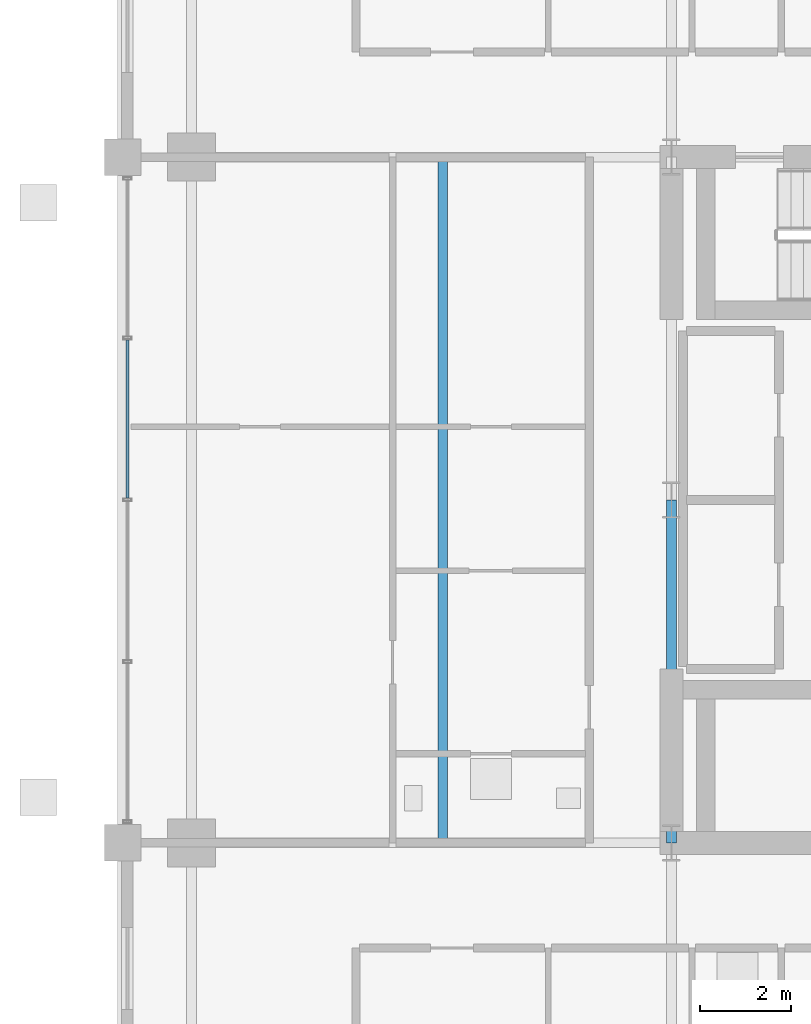
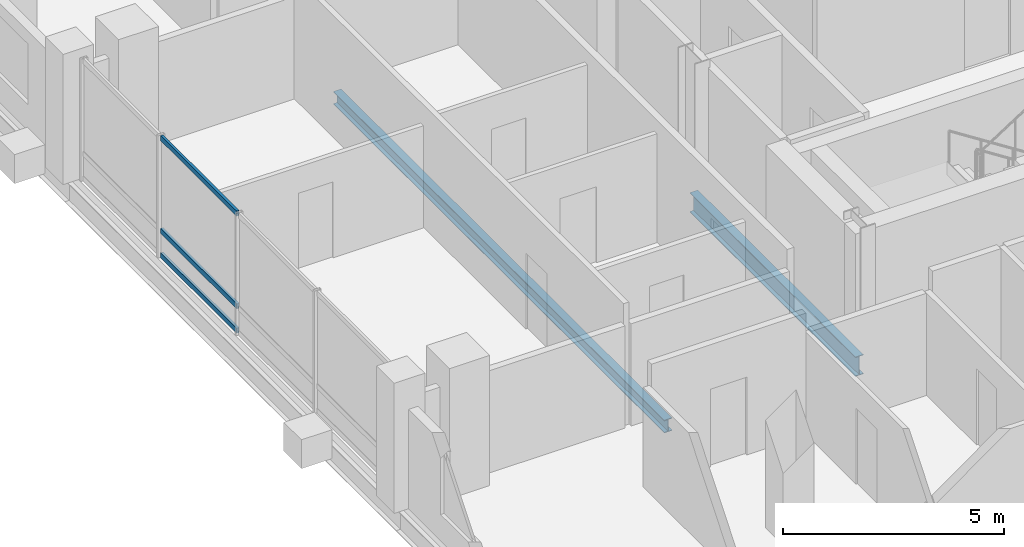
# One storey, part 7 of 24: 3 members, 2 beams, 1 element without a shape of its own.
"""IFC4 building model written with IfcOpenShell, lengths in metres."""

from ifc_helpers import new_model, si_unit, direction, frame, origin, origin_2d, place, context, subcontext, project, spatial, hollow_rectangle, i_section, extrude, material, layer, layer_set, material_profile, profile_set, type_object, element, aggregate, save


model = new_model("IFC4")

# Units and contexts
model_context = context("Model", 3, precision=1e-05, world=origin(), true_north=direction((0.0, 1.0)))
body_context = subcontext(model_context, "Body", "Model", "MODEL_VIEW")
ifc_project = project(units=[si_unit("LENGTHUNIT", "METRE"), si_unit("AREAUNIT", "SQUARE_METRE"), si_unit("VOLUMEUNIT", "CUBIC_METRE"), si_unit("PLANEANGLEUNIT", "RADIAN"), si_unit("MASSUNIT", "GRAM", prefix="KILO")], contexts=[model_context])

# Site, building, storey
site_placement = place(None, origin())
site = spatial("IfcSite", under=ifc_project, at=site_placement, CompositionType="ELEMENT")
building_placement = place(site_placement, origin())
building = spatial("IfcBuilding", under=site, at=building_placement, Name="Barlavira Tower and Art Museum", CompositionType="ELEMENT")
storey_placement = place(building_placement, frame((0.0, 0.0, 169.199951171875)))
storey = spatial("IfcBuildingStorey", under=building, at=storey_placement, Name="L43", CompositionType="ELEMENT", Elevation=169.199951171875)

# Curtain wall, members
ifc_material_1 = material(Name="Low-iron coastal laminated glass", Category="glass")
ifc_layer = layer(ifc_material_1, 0.199951171875, Name="Low-iron coastal laminated glass")
ifc_layer_set = layer_set([ifc_layer], Name="Low-iron coastal laminated glass")
curtain_wall_type = type_object("IfcCurtainWallType", Name="Pale-Metal Unitised Curtain Wall Zone 3", PredefinedType="NOTDEFINED", material=ifc_layer_set)
curtain_wall_placement = place(storey_placement, origin())
curtain_wall = element("IfcCurtainWall", 1, at=curtain_wall_placement, inside=storey, type_object=curtain_wall_type, Name="L43 Curtain Wall CW3-L43-W-B3", PredefinedType="NOTDEFINED")
ifc_material_2 = material(Name="Pale anodised aluminium", Category="aluminium")
ifc_material_profile_1 = material_profile(ifc_material_2, hollow_rectangle(XDim=0.06494140625, YDim=0.139892578125, WallThickness=0.00390625, at=origin_2d()), Name="ALU-TRAN 65x140x4")
ifc_profile_set_1 = profile_set([ifc_material_profile_1], Name="Pale anodised aluminium")
member_type = type_object("IfcMemberType", Name="Curtain Wall Pale-Metal Transom 65x140", PredefinedType="USERDEFINED", material=ifc_profile_set_1)
member_1_placement = place(storey_placement, frame((-18.39990234375, 3.4951171875, 0.070068359375), z_axis=(0.0, -1.0, 0.0), x_axis=(1.0, 0.0, 0.0)))
member_1 = element("IfcMember", 2, at=member_1_placement, type_object=member_type, Name="CW3-L43-W-B3 Transom 1.1", ObjectType="TRANSOM", PredefinedType="USERDEFINED", context=body_context, shape_type="SweptSolid", body=[
    extrude(hollow_rectangle(XDim=0.06494140625, YDim=0.139892578125, WallThickness=0.00390625, at=origin_2d()), origin(), (0.0, 0.0, 1.0), 3.4501953125),
])
member_2_placement = place(storey_placement, frame((-18.39990234375, 3.4951171875, 0.744140625), z_axis=(0.0, -1.0, 0.0), x_axis=(1.0, 0.0, 0.0)))
member_2 = element("IfcMember", 3, at=member_2_placement, type_object=member_type, Name="CW3-L43-W-B3 Transom 1.2", ObjectType="TRANSOM", PredefinedType="USERDEFINED", context=body_context, shape_type="SweptSolid", body=[
    extrude(hollow_rectangle(XDim=0.06494140625, YDim=0.139892578125, WallThickness=0.00390625, at=origin_2d()), origin(), (0.0, 0.0, 1.0), 3.4501953125),
])
member_3_placement = place(storey_placement, frame((-18.39990234375, 3.4951171875, 3.31005859375), z_axis=(0.0, -1.0, 0.0), x_axis=(1.0, 0.0, 0.0)))
member_3 = element("IfcMember", 4, at=member_3_placement, type_object=member_type, Name="CW3-L43-W-B3 Transom 1.3", ObjectType="TRANSOM", PredefinedType="USERDEFINED", context=body_context, shape_type="SweptSolid", body=[
    extrude(hollow_rectangle(XDim=0.06494140625, YDim=0.139892578125, WallThickness=0.00390625, at=origin_2d()), origin(), (0.0, 0.0, 1.0), 3.4501953125),
])
aggregate(curtain_wall, [member_1, member_2, member_3])

# Beams
ifc_material_3 = material(Name="Steel S355", Category="steel")
ifc_material_profile_2 = material_profile(ifc_material_3, i_section(OverallWidth=0.205078125, OverallDepth=0.35400390625, WebThickness=0.009521484375, FlangeThickness=0.016845703125, at=origin_2d()), Name="W360x79.0")
ifc_profile_set_2 = profile_set([ifc_material_profile_2], Name="Steel S355")
beam_type_1 = type_object("IfcBeamType", Name="Zone 3 Composite Floor Joist W360x79 Steel S355", PredefinedType="JOIST", material=ifc_profile_set_2)
beam_1_placement = place(storey_placement, frame((-11.5, -7.5, -0.39697265625), z_axis=(0.0, 1.0, 0.0), x_axis=(-1.0, 0.0, 0.0)))
element("IfcBeam", 5, at=beam_1_placement, inside=storey, type_object=beam_type_1, Name="L43 Joist W1", PredefinedType="JOIST", context=body_context, shape_type="SweptSolid", body=[
    extrude(i_section(OverallWidth=0.205078125, OverallDepth=0.35400390625, WebThickness=0.009521484375, FlangeThickness=0.016845703125, at=origin_2d()), origin(), (0.0, 0.0, 1.0), 15.0),
])
ifc_material_profile_3 = material_profile(ifc_material_3, i_section(OverallWidth=0.2109375, OverallDepth=0.5390625, WebThickness=0.01171875, FlangeThickness=0.018798828125, at=origin_2d()), Name="W530x109.0")
ifc_profile_set_3 = profile_set([ifc_material_profile_3], Name="Steel S355")
beam_type_2 = type_object("IfcBeamType", Name="Zone 3-4 Primary Floor Girder W530x109 Steel S355", PredefinedType="BEAM", material=ifc_profile_set_3)
beam_2_placement = place(storey_placement, frame((-6.5, -7.5, -0.489501953125), z_axis=(0.0, 1.0, 0.0), x_axis=(-1.0, 0.0, 0.0)))
element("IfcBeam", 6, at=beam_2_placement, inside=storey, type_object=beam_type_2, Name="L43 Girder C-W1", PredefinedType="BEAM", context=body_context, shape_type="SweptSolid", body=[
    extrude(i_section(OverallWidth=0.2109375, OverallDepth=0.5390625, WebThickness=0.01171875, FlangeThickness=0.018798828125, at=origin_2d()), origin(), (0.0, 0.0, 1.0), 7.5),
])

save(model, "model.ifc")
